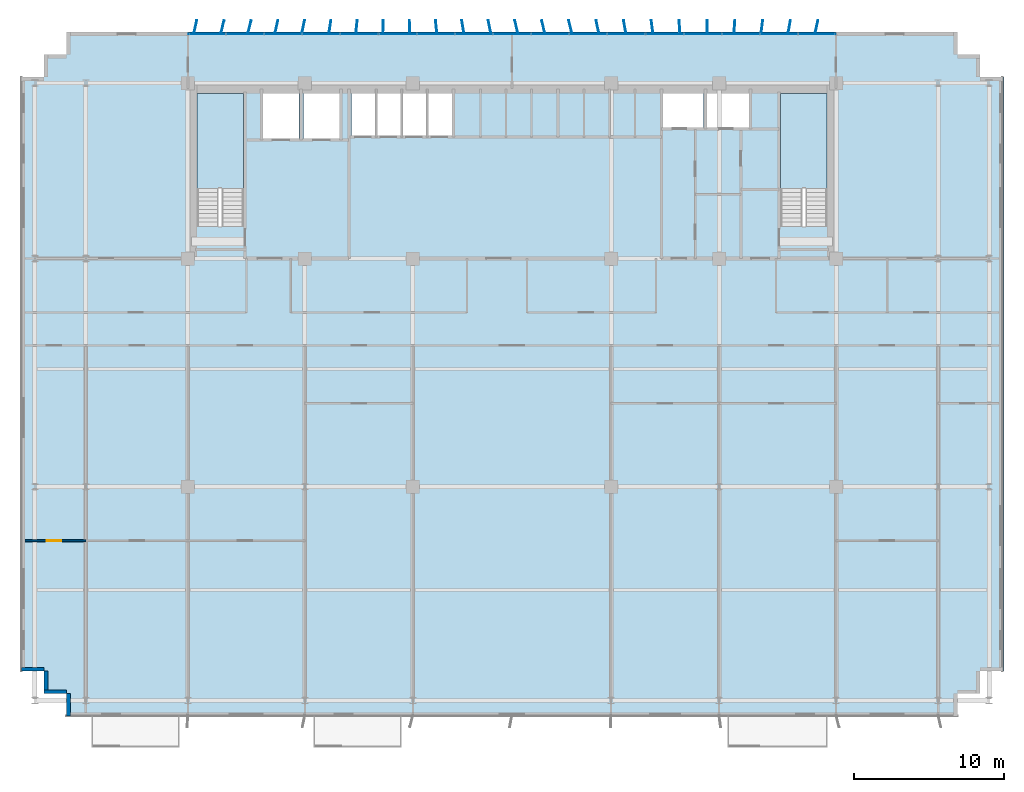
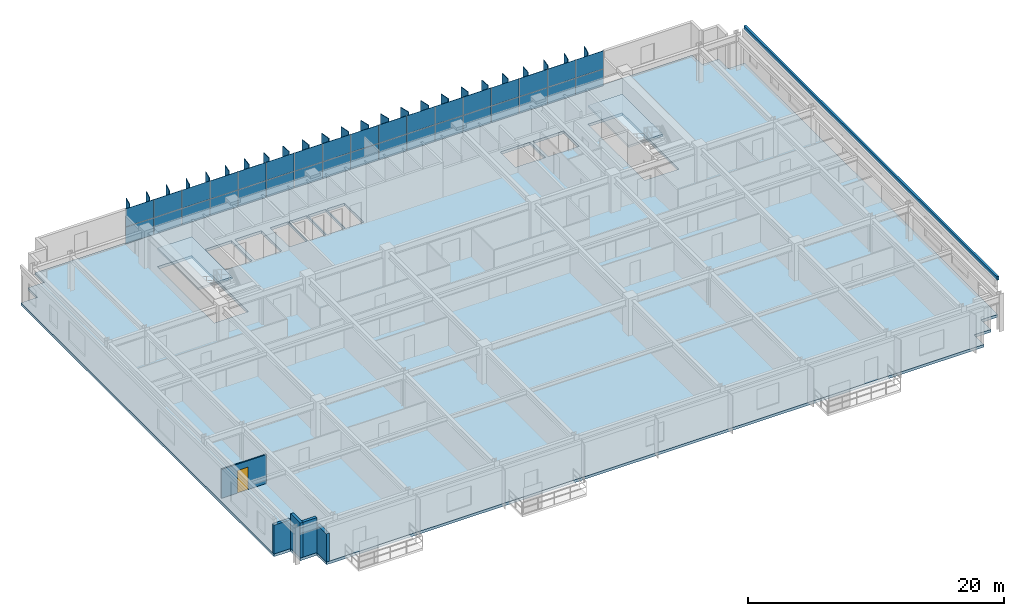
# One storey, part 14 of 21: 59 plates, 5 walls, 3 slabs, 1 door, 1 opening, 3 elements without a shape of their own.
"""IFC4 building model written with IfcOpenShell, lengths in metres."""

from ifc_helpers import new_model, si_unit, direction, frame, frame_2d, origin, origin_2d, place, context, subcontext, project, spatial, polyline, rectangle, outline, extrude, source, transform, mapped, material, layer, layer_set, type_object, element, fill, aggregate, save


model = new_model("IFC4")

# Units and contexts
model_context = context("Model", 3, precision=1e-05, world=origin(), true_north=direction((0.0, 1.0)))
body_context = subcontext(model_context, "Body", "Model", "MODEL_VIEW")
ifc_project = project(units=[si_unit("LENGTHUNIT", "METRE"), si_unit("AREAUNIT", "SQUARE_METRE"), si_unit("VOLUMEUNIT", "CUBIC_METRE"), si_unit("PLANEANGLEUNIT", "RADIAN"), si_unit("MASSUNIT", "GRAM", prefix="KILO")], contexts=[model_context])

# Site, building, storey
site_placement = place(None, origin())
site = spatial("IfcSite", under=ifc_project, at=site_placement, CompositionType="ELEMENT")
building_placement = place(site_placement, origin())
building = spatial("IfcBuilding", under=site, at=building_placement, Name="Trelvane Seafront Commons", CompositionType="ELEMENT")
storey_placement = place(building_placement, frame((0.0, 0.0, 41.5)))
storey = spatial("IfcBuildingStorey", under=building, at=storey_placement, Name="L10", CompositionType="ELEMENT", Elevation=41.5)

# Stair, slab
ifc_material_1 = material(Name="Concrete C40/50", Category="concrete")
stair_type_1 = type_object("IfcStairType", Name="ARCH-STR-ST-1-R20-180", PredefinedType="HALF_TURN_STAIR", material=ifc_material_1)
stair_1_placement = place(storey_placement, origin())
stair_1 = element("IfcStair", 1, at=stair_1_placement, inside=storey, type_object=stair_type_1, Name="L10 West Protected Firefighting Exit Stair ST-1", PredefinedType="HALF_TURN_STAIR")
ifc_layer_1 = layer(ifc_material_1, 0.199951171875, Name="ARCH-LND-200")
ifc_layer_set_1 = layer_set([ifc_layer_1], Name="Concrete C40/50")
slab_type_1 = type_object("IfcSlabType", Name="ARCH-LND-200", PredefinedType="LANDING", material=ifc_layer_set_1)
slab_1_placement = place(storey_placement, frame((0.0, 0.0, 1.60009765625)))
slab_1 = element("IfcSlab", 2, at=slab_1_placement, type_object=slab_type_1, Name="ST-1 landing 1", PredefinedType="LANDING", context=body_context, shape_type="SweptSolid", body=[
    extrude(outline(polyline([(19.300048828125, 38.070068359375), (19.300048828125, 44.39990234375), (16.199951171875, 44.39990234375), (16.199951171875, 38.070068359375), (19.300048828125, 38.070068359375)])), origin(), (0.0, 0.0, 1.0), 0.199951171875),
])
aggregate(stair_1, [slab_1])

stair_type_2 = type_object("IfcStairType", Name="ARCH-STR-ST-2-R20-180", PredefinedType="HALF_TURN_STAIR", material=ifc_material_1)
stair_2_placement = place(storey_placement, origin())
stair_2 = element("IfcStair", 3, at=stair_2_placement, inside=storey, type_object=stair_type_2, Name="L10 East Protected Firefighting Exit Stair ST-2", PredefinedType="HALF_TURN_STAIR")
slab_2_placement = place(storey_placement, frame((0.0, 0.0, 1.60009765625)))
slab_2 = element("IfcSlab", 4, at=slab_2_placement, type_object=slab_type_1, Name="ST-2 landing 1", PredefinedType="LANDING", context=body_context, shape_type="SweptSolid", body=[
    extrude(outline(polyline([(58.199951171875, 38.070068359375), (58.199951171875, 44.39990234375), (55.10009765625, 44.39990234375), (55.10009765625, 38.070068359375), (58.199951171875, 38.070068359375)])), origin(), (0.0, 0.0, 1.0), 0.199951171875),
])
aggregate(stair_2, [slab_2])

# Slab
ifc_material_2 = material(Name="Concrete C50/60", Category="concrete")
ifc_layer_2 = layer(ifc_material_2, 0.260009765625, Name="STR-SLB-Z1-260")
ifc_layer_set_2 = layer_set([ifc_layer_2], Name="Concrete C50/60")
slab_type_2 = type_object("IfcSlabType", Name="STR-SLB-Z1-260", PredefinedType="FLOOR", material=ifc_layer_set_2)
slab_3_placement = place(storey_placement, frame((0.0, 0.0, -0.260009765625)))
element("IfcSlab", 5, at=slab_3_placement, inside=storey, type_object=slab_type_2, Name="L10 Structural Floor Slab", PredefinedType="FLOOR", context=body_context, shape_type="SweptSolid", body=[
    extrude(outline(polyline([(7.5, 2.89990234375), (66.89990234375, 2.89990234375), (66.89990234375, 4.39990234375), (68.39990234375, 4.39990234375), (68.39990234375, 5.89990234375), (69.89990234375, 5.89990234375), (69.89990234375, 45.5), (68.39990234375, 45.5), (68.39990234375, 47.0), (66.89990234375, 47.0), (66.89990234375, 48.5), (7.5, 48.5), (7.5, 47.0), (6.0, 47.0), (6.0, 45.5), (4.5, 45.5), (4.5, 5.89990234375), (6.0, 5.89990234375), (6.0, 4.39990234375), (7.5, 4.39990234375), (7.5, 2.89990234375)]), holes=[polyline([(19.300048828125, 35.550048828125), (16.199951171875, 35.550048828125), (16.199951171875, 44.39990234375), (19.300048828125, 44.39990234375), (19.300048828125, 35.550048828125)]), polyline([(58.199951171875, 35.550048828125), (55.10009765625, 35.550048828125), (55.10009765625, 44.39990234375), (58.199951171875, 44.39990234375), (58.199951171875, 35.550048828125)]), polyline([(23.0, 41.39990234375), (20.60009765625, 41.39990234375), (20.60009765625, 44.60009765625), (23.0, 44.60009765625), (23.0, 41.39990234375)]), polyline([(23.300048828125, 41.39990234375), (23.300048828125, 44.60009765625), (25.699951171875, 44.60009765625), (25.699951171875, 41.39990234375), (23.300048828125, 41.39990234375)]), polyline([(26.5, 41.60009765625), (26.5, 44.60009765625), (28.1201171875, 44.60009765625), (28.1201171875, 41.60009765625), (26.5, 41.60009765625)]), polyline([(29.820068359375, 41.60009765625), (28.199951171875, 41.60009765625), (28.199951171875, 44.60009765625), (29.820068359375, 44.60009765625), (29.820068359375, 41.60009765625)]), polyline([(31.52001953125, 41.60009765625), (29.89990234375, 41.60009765625), (29.89990234375, 44.60009765625), (31.52001953125, 44.60009765625), (31.52001953125, 41.60009765625)]), polyline([(33.219970703125, 41.60009765625), (31.60009765625, 41.60009765625), (31.60009765625, 44.60009765625), (33.219970703125, 44.60009765625), (33.219970703125, 41.60009765625)]), polyline([(47.25, 42.14990234375), (47.25, 44.550048828125), (49.949951171875, 44.550048828125), (49.949951171875, 42.14990234375), (47.25, 42.14990234375)]), polyline([(50.199951171875, 42.14990234375), (50.199951171875, 44.550048828125), (53.0, 44.550048828125), (53.0, 42.14990234375), (50.199951171875, 42.14990234375)])]), origin(), (0.0, 0.0, 1.0), 0.260009765625),
])

# Curtain wall, plates
ifc_material_3 = material(Name="Anodised pale-silver aluminium", Category="aluminium")
curtain_wall_type = type_object("IfcCurtainWallType", Name="ARCH-CW2-LOWTOWER", PredefinedType="NOTDEFINED", material=ifc_material_3)
curtain_wall_placement = place(storey_placement, origin())
curtain_wall = element("IfcCurtainWall", 6, at=curtain_wall_placement, inside=storey, type_object=curtain_wall_type, Name="CW-L10-0034", PredefinedType="NOTDEFINED")
ifc_material_4 = material(Name="Low-E coastal double glazing", Category="glass")
ifc_layer_3 = layer(ifc_material_4, 0.033935546875, Name="ARCH-CW-GLAZ-34")
ifc_layer_set_3 = layer_set([ifc_layer_3], Name="Low-E coastal double glazing")
plate_type_1 = type_object("IfcPlateType", Name="ARCH-CW-GLAZ-34", PredefinedType="CURTAIN_PANEL", material=ifc_layer_set_3)
shared_shape_1 = source(origin(), body_context, "Body", "SweptSolid", [
    extrude(rectangle(XDim=2.51708984375, YDim=0.031982421875, at=origin_2d()), origin(), (0.0, 0.0, 1.0), 1.5849609375),
])
plate_1_placement = place(storey_placement, frame((16.87060546875, 48.3701171875, 0.0), z_axis=(0.0, 0.0, 1.0), x_axis=(1.0, 0.0, 0.0)))
plate_1 = element("IfcPlate", 7, at=plate_1_placement, type_object=plate_type_1, Name="CW-L10-0034-P00-1", PredefinedType="CURTAIN_PANEL", context=body_context, shape_type="MappedRepresentation", body=[
    mapped(shared_shape_1, transform((0.0, 0.0, 0.0), x_axis=(1.0, 0.0, 0.0), y_axis=(0.0, 1.0, 0.0), z_axis=(0.0, 0.0, 1.0), scale=1.0)),
])
plate_2_placement = place(storey_placement, frame((19.411865234375, 48.3701171875, 0.0), z_axis=(0.0, 0.0, 1.0), x_axis=(1.0, 0.0, 0.0)))
plate_2 = element("IfcPlate", 8, at=plate_2_placement, type_object=plate_type_1, Name="CW-L10-0034-P01-1", PredefinedType="CURTAIN_PANEL", context=body_context, shape_type="MappedRepresentation", body=[
    mapped(shared_shape_1, transform((0.0, 0.0, 0.0), x_axis=(1.0, 0.0, 0.0), y_axis=(0.0, 1.0, 0.0), z_axis=(0.0, 0.0, 1.0), scale=1.0)),
])
plate_3_placement = place(storey_placement, frame((21.952880859375, 48.3701171875, 0.0), z_axis=(0.0, 0.0, 1.0), x_axis=(1.0, 0.0, 0.0)))
plate_3 = element("IfcPlate", 9, at=plate_3_placement, type_object=plate_type_1, Name="CW-L10-0034-P02-1", PredefinedType="CURTAIN_PANEL", context=body_context, shape_type="MappedRepresentation", body=[
    mapped(shared_shape_1, transform((0.0, 0.0, 0.0), x_axis=(1.0, 0.0, 0.0), y_axis=(0.0, 1.0, 0.0), z_axis=(0.0, 0.0, 1.0), scale=1.0)),
])
plate_4_placement = place(storey_placement, frame((24.494140625, 48.3701171875, 0.0), z_axis=(0.0, 0.0, 1.0), x_axis=(1.0, 0.0, 0.0)))
plate_4 = element("IfcPlate", 10, at=plate_4_placement, type_object=plate_type_1, Name="CW-L10-0034-P03-1", PredefinedType="CURTAIN_PANEL", context=body_context, shape_type="MappedRepresentation", body=[
    mapped(shared_shape_1, transform((0.0, 0.0, 0.0), x_axis=(1.0, 0.0, 0.0), y_axis=(0.0, 1.0, 0.0), z_axis=(0.0, 0.0, 1.0), scale=1.0)),
])
plate_5_placement = place(storey_placement, frame((27.035400390625, 48.3701171875, 0.0), z_axis=(0.0, 0.0, 1.0), x_axis=(1.0, 0.0, 0.0)))
plate_5 = element("IfcPlate", 11, at=plate_5_placement, type_object=plate_type_1, Name="CW-L10-0034-P04-1", PredefinedType="CURTAIN_PANEL", context=body_context, shape_type="MappedRepresentation", body=[
    mapped(shared_shape_1, transform((0.0, 0.0, 0.0), x_axis=(1.0, 0.0, 0.0), y_axis=(0.0, 1.0, 0.0), z_axis=(0.0, 0.0, 1.0), scale=1.0)),
])
plate_6_placement = place(storey_placement, frame((29.576416015625, 48.3701171875, 0.0), z_axis=(0.0, 0.0, 1.0), x_axis=(1.0, 0.0, 0.0)))
plate_6 = element("IfcPlate", 12, at=plate_6_placement, type_object=plate_type_1, Name="CW-L10-0034-P05-1", PredefinedType="CURTAIN_PANEL", context=body_context, shape_type="MappedRepresentation", body=[
    mapped(shared_shape_1, transform((0.0, 0.0, 0.0), x_axis=(1.0, 0.0, 0.0), y_axis=(0.0, 1.0, 0.0), z_axis=(0.0, 0.0, 1.0), scale=1.0)),
])
plate_7_placement = place(storey_placement, frame((32.11767578125, 48.3701171875, 0.0), z_axis=(0.0, 0.0, 1.0), x_axis=(1.0, 0.0, 0.0)))
plate_7 = element("IfcPlate", 13, at=plate_7_placement, type_object=plate_type_1, Name="CW-L10-0034-P06-1", PredefinedType="CURTAIN_PANEL", context=body_context, shape_type="MappedRepresentation", body=[
    mapped(shared_shape_1, transform((0.0, 0.0, 0.0), x_axis=(1.0, 0.0, 0.0), y_axis=(0.0, 1.0, 0.0), z_axis=(0.0, 0.0, 1.0), scale=1.0)),
])
plate_8_placement = place(storey_placement, frame((34.65869140625, 48.3701171875, 0.0), z_axis=(0.0, 0.0, 1.0), x_axis=(1.0, 0.0, 0.0)))
plate_8 = element("IfcPlate", 14, at=plate_8_placement, type_object=plate_type_1, Name="CW-L10-0034-P07-1", PredefinedType="CURTAIN_PANEL", context=body_context, shape_type="MappedRepresentation", body=[
    mapped(shared_shape_1, transform((0.0, 0.0, 0.0), x_axis=(1.0, 0.0, 0.0), y_axis=(0.0, 1.0, 0.0), z_axis=(0.0, 0.0, 1.0), scale=1.0)),
])
plate_9_placement = place(storey_placement, frame((37.199951171875, 48.3701171875, 0.0), z_axis=(0.0, 0.0, 1.0), x_axis=(1.0, 0.0, 0.0)))
plate_9 = element("IfcPlate", 15, at=plate_9_placement, type_object=plate_type_1, Name="CW-L10-0034-P08-1", PredefinedType="CURTAIN_PANEL", context=body_context, shape_type="MappedRepresentation", body=[
    mapped(shared_shape_1, transform((0.0, 0.0, 0.0), x_axis=(1.0, 0.0, 0.0), y_axis=(0.0, 1.0, 0.0), z_axis=(0.0, 0.0, 1.0), scale=1.0)),
])
plate_10_placement = place(storey_placement, frame((39.7412109375, 48.3701171875, 0.0), z_axis=(0.0, 0.0, 1.0), x_axis=(1.0, 0.0, 0.0)))
plate_10 = element("IfcPlate", 16, at=plate_10_placement, type_object=plate_type_1, Name="CW-L10-0034-P09-1", PredefinedType="CURTAIN_PANEL", context=body_context, shape_type="MappedRepresentation", body=[
    mapped(shared_shape_1, transform((0.0, 0.0, 0.0), x_axis=(1.0, 0.0, 0.0), y_axis=(0.0, 1.0, 0.0), z_axis=(0.0, 0.0, 1.0), scale=1.0)),
])
plate_11_placement = place(storey_placement, frame((42.282470703125, 48.3701171875, 0.0), z_axis=(0.0, 0.0, 1.0), x_axis=(1.0, 0.0, 0.0)))
plate_11 = element("IfcPlate", 17, at=plate_11_placement, type_object=plate_type_1, Name="CW-L10-0034-P10-1", PredefinedType="CURTAIN_PANEL", context=body_context, shape_type="MappedRepresentation", body=[
    mapped(shared_shape_1, transform((0.0, 0.0, 0.0), x_axis=(1.0, 0.0, 0.0), y_axis=(0.0, 1.0, 0.0), z_axis=(0.0, 0.0, 1.0), scale=1.0)),
])
plate_12_placement = place(storey_placement, frame((44.823486328125, 48.3701171875, 0.0), z_axis=(0.0, 0.0, 1.0), x_axis=(1.0, 0.0, 0.0)))
plate_12 = element("IfcPlate", 18, at=plate_12_placement, type_object=plate_type_1, Name="CW-L10-0034-P11-1", PredefinedType="CURTAIN_PANEL", context=body_context, shape_type="MappedRepresentation", body=[
    mapped(shared_shape_1, transform((0.0, 0.0, 0.0), x_axis=(1.0, 0.0, 0.0), y_axis=(0.0, 1.0, 0.0), z_axis=(0.0, 0.0, 1.0), scale=1.0)),
])
plate_13_placement = place(storey_placement, frame((47.36474609375, 48.3701171875, 0.0), z_axis=(0.0, 0.0, 1.0), x_axis=(1.0, 0.0, 0.0)))
plate_13 = element("IfcPlate", 19, at=plate_13_placement, type_object=plate_type_1, Name="CW-L10-0034-P12-1", PredefinedType="CURTAIN_PANEL", context=body_context, shape_type="MappedRepresentation", body=[
    mapped(shared_shape_1, transform((0.0, 0.0, 0.0), x_axis=(1.0, 0.0, 0.0), y_axis=(0.0, 1.0, 0.0), z_axis=(0.0, 0.0, 1.0), scale=1.0)),
])
plate_14_placement = place(storey_placement, frame((49.906005859375, 48.3701171875, 0.0), z_axis=(0.0, 0.0, 1.0), x_axis=(1.0, 0.0, 0.0)))
plate_14 = element("IfcPlate", 20, at=plate_14_placement, type_object=plate_type_1, Name="CW-L10-0034-P13-1", PredefinedType="CURTAIN_PANEL", context=body_context, shape_type="MappedRepresentation", body=[
    mapped(shared_shape_1, transform((0.0, 0.0, 0.0), x_axis=(1.0, 0.0, 0.0), y_axis=(0.0, 1.0, 0.0), z_axis=(0.0, 0.0, 1.0), scale=1.0)),
])
plate_15_placement = place(storey_placement, frame((52.447021484375, 48.3701171875, 0.0), z_axis=(0.0, 0.0, 1.0), x_axis=(1.0, 0.0, 0.0)))
plate_15 = element("IfcPlate", 21, at=plate_15_placement, type_object=plate_type_1, Name="CW-L10-0034-P14-1", PredefinedType="CURTAIN_PANEL", context=body_context, shape_type="MappedRepresentation", body=[
    mapped(shared_shape_1, transform((0.0, 0.0, 0.0), x_axis=(1.0, 0.0, 0.0), y_axis=(0.0, 1.0, 0.0), z_axis=(0.0, 0.0, 1.0), scale=1.0)),
])
plate_16_placement = place(storey_placement, frame((54.98828125, 48.3701171875, 0.0), z_axis=(0.0, 0.0, 1.0), x_axis=(1.0, 0.0, 0.0)))
plate_16 = element("IfcPlate", 22, at=plate_16_placement, type_object=plate_type_1, Name="CW-L10-0034-P15-1", PredefinedType="CURTAIN_PANEL", context=body_context, shape_type="MappedRepresentation", body=[
    mapped(shared_shape_1, transform((0.0, 0.0, 0.0), x_axis=(1.0, 0.0, 0.0), y_axis=(0.0, 1.0, 0.0), z_axis=(0.0, 0.0, 1.0), scale=1.0)),
])
plate_17_placement = place(storey_placement, frame((57.529296875, 48.3701171875, 0.0), z_axis=(0.0, 0.0, 1.0), x_axis=(1.0, 0.0, 0.0)))
plate_17 = element("IfcPlate", 23, at=plate_17_placement, type_object=plate_type_1, Name="CW-L10-0034-P16-1", PredefinedType="CURTAIN_PANEL", context=body_context, shape_type="MappedRepresentation", body=[
    mapped(shared_shape_1, transform((0.0, 0.0, 0.0), x_axis=(1.0, 0.0, 0.0), y_axis=(0.0, 1.0, 0.0), z_axis=(0.0, 0.0, 1.0), scale=1.0)),
])
shared_shape_2 = source(origin(), body_context, "Body", "SweptSolid", [
    extrude(rectangle(XDim=2.51708984375, YDim=0.031982421875, at=origin_2d()), origin(), (0.0, 0.0, 1.0), 1.718994140625),
])
plate_18_placement = place(storey_placement, frame((16.87060546875, 48.3701171875, 1.62109375), z_axis=(0.0, 0.0, 1.0), x_axis=(1.0, 0.0, 0.0)))
plate_18 = element("IfcPlate", 24, at=plate_18_placement, type_object=plate_type_1, Name="CW-L10-0034-P00-2", PredefinedType="CURTAIN_PANEL", context=body_context, shape_type="MappedRepresentation", body=[
    mapped(shared_shape_2, transform((0.0, 0.0, 0.0), x_axis=(1.0, 0.0, 0.0), y_axis=(0.0, 1.0, 0.0), z_axis=(0.0, 0.0, 1.0), scale=1.0)),
])
plate_19_placement = place(storey_placement, frame((19.411865234375, 48.3701171875, 1.62109375), z_axis=(0.0, 0.0, 1.0), x_axis=(1.0, 0.0, 0.0)))
plate_19 = element("IfcPlate", 25, at=plate_19_placement, type_object=plate_type_1, Name="CW-L10-0034-P01-2", PredefinedType="CURTAIN_PANEL", context=body_context, shape_type="MappedRepresentation", body=[
    mapped(shared_shape_2, transform((0.0, 0.0, 0.0), x_axis=(1.0, 0.0, 0.0), y_axis=(0.0, 1.0, 0.0), z_axis=(0.0, 0.0, 1.0), scale=1.0)),
])
plate_20_placement = place(storey_placement, frame((21.952880859375, 48.3701171875, 1.62109375), z_axis=(0.0, 0.0, 1.0), x_axis=(1.0, 0.0, 0.0)))
plate_20 = element("IfcPlate", 26, at=plate_20_placement, type_object=plate_type_1, Name="CW-L10-0034-P02-2", PredefinedType="CURTAIN_PANEL", context=body_context, shape_type="MappedRepresentation", body=[
    mapped(shared_shape_2, transform((0.0, 0.0, 0.0), x_axis=(1.0, 0.0, 0.0), y_axis=(0.0, 1.0, 0.0), z_axis=(0.0, 0.0, 1.0), scale=1.0)),
])
plate_21_placement = place(storey_placement, frame((24.494140625, 48.3701171875, 1.62109375), z_axis=(0.0, 0.0, 1.0), x_axis=(1.0, 0.0, 0.0)))
plate_21 = element("IfcPlate", 27, at=plate_21_placement, type_object=plate_type_1, Name="CW-L10-0034-P03-2", PredefinedType="CURTAIN_PANEL", context=body_context, shape_type="MappedRepresentation", body=[
    mapped(shared_shape_2, transform((0.0, 0.0, 0.0), x_axis=(1.0, 0.0, 0.0), y_axis=(0.0, 1.0, 0.0), z_axis=(0.0, 0.0, 1.0), scale=1.0)),
])
plate_22_placement = place(storey_placement, frame((27.035400390625, 48.3701171875, 1.62109375), z_axis=(0.0, 0.0, 1.0), x_axis=(1.0, 0.0, 0.0)))
plate_22 = element("IfcPlate", 28, at=plate_22_placement, type_object=plate_type_1, Name="CW-L10-0034-P04-2", PredefinedType="CURTAIN_PANEL", context=body_context, shape_type="MappedRepresentation", body=[
    mapped(shared_shape_2, transform((0.0, 0.0, 0.0), x_axis=(1.0, 0.0, 0.0), y_axis=(0.0, 1.0, 0.0), z_axis=(0.0, 0.0, 1.0), scale=1.0)),
])
plate_23_placement = place(storey_placement, frame((29.576416015625, 48.3701171875, 1.62109375), z_axis=(0.0, 0.0, 1.0), x_axis=(1.0, 0.0, 0.0)))
plate_23 = element("IfcPlate", 29, at=plate_23_placement, type_object=plate_type_1, Name="CW-L10-0034-P05-2", PredefinedType="CURTAIN_PANEL", context=body_context, shape_type="MappedRepresentation", body=[
    mapped(shared_shape_2, transform((0.0, 0.0, 0.0), x_axis=(1.0, 0.0, 0.0), y_axis=(0.0, 1.0, 0.0), z_axis=(0.0, 0.0, 1.0), scale=1.0)),
])
plate_24_placement = place(storey_placement, frame((32.11767578125, 48.3701171875, 1.62109375), z_axis=(0.0, 0.0, 1.0), x_axis=(1.0, 0.0, 0.0)))
plate_24 = element("IfcPlate", 30, at=plate_24_placement, type_object=plate_type_1, Name="CW-L10-0034-P06-2", PredefinedType="CURTAIN_PANEL", context=body_context, shape_type="MappedRepresentation", body=[
    mapped(shared_shape_2, transform((0.0, 0.0, 0.0), x_axis=(1.0, 0.0, 0.0), y_axis=(0.0, 1.0, 0.0), z_axis=(0.0, 0.0, 1.0), scale=1.0)),
])
plate_25_placement = place(storey_placement, frame((34.65869140625, 48.3701171875, 1.62109375), z_axis=(0.0, 0.0, 1.0), x_axis=(1.0, 0.0, 0.0)))
plate_25 = element("IfcPlate", 31, at=plate_25_placement, type_object=plate_type_1, Name="CW-L10-0034-P07-2", PredefinedType="CURTAIN_PANEL", context=body_context, shape_type="MappedRepresentation", body=[
    mapped(shared_shape_2, transform((0.0, 0.0, 0.0), x_axis=(1.0, 0.0, 0.0), y_axis=(0.0, 1.0, 0.0), z_axis=(0.0, 0.0, 1.0), scale=1.0)),
])
plate_26_placement = place(storey_placement, frame((37.199951171875, 48.3701171875, 1.62109375), z_axis=(0.0, 0.0, 1.0), x_axis=(1.0, 0.0, 0.0)))
plate_26 = element("IfcPlate", 32, at=plate_26_placement, type_object=plate_type_1, Name="CW-L10-0034-P08-2", PredefinedType="CURTAIN_PANEL", context=body_context, shape_type="MappedRepresentation", body=[
    mapped(shared_shape_2, transform((0.0, 0.0, 0.0), x_axis=(1.0, 0.0, 0.0), y_axis=(0.0, 1.0, 0.0), z_axis=(0.0, 0.0, 1.0), scale=1.0)),
])
plate_27_placement = place(storey_placement, frame((39.7412109375, 48.3701171875, 1.62109375), z_axis=(0.0, 0.0, 1.0), x_axis=(1.0, 0.0, 0.0)))
plate_27 = element("IfcPlate", 33, at=plate_27_placement, type_object=plate_type_1, Name="CW-L10-0034-P09-2", PredefinedType="CURTAIN_PANEL", context=body_context, shape_type="MappedRepresentation", body=[
    mapped(shared_shape_2, transform((0.0, 0.0, 0.0), x_axis=(1.0, 0.0, 0.0), y_axis=(0.0, 1.0, 0.0), z_axis=(0.0, 0.0, 1.0), scale=1.0)),
])
plate_28_placement = place(storey_placement, frame((42.282470703125, 48.3701171875, 1.62109375), z_axis=(0.0, 0.0, 1.0), x_axis=(1.0, 0.0, 0.0)))
plate_28 = element("IfcPlate", 34, at=plate_28_placement, type_object=plate_type_1, Name="CW-L10-0034-P10-2", PredefinedType="CURTAIN_PANEL", context=body_context, shape_type="MappedRepresentation", body=[
    mapped(shared_shape_2, transform((0.0, 0.0, 0.0), x_axis=(1.0, 0.0, 0.0), y_axis=(0.0, 1.0, 0.0), z_axis=(0.0, 0.0, 1.0), scale=1.0)),
])
plate_29_placement = place(storey_placement, frame((44.823486328125, 48.3701171875, 1.62109375), z_axis=(0.0, 0.0, 1.0), x_axis=(1.0, 0.0, 0.0)))
plate_29 = element("IfcPlate", 35, at=plate_29_placement, type_object=plate_type_1, Name="CW-L10-0034-P11-2", PredefinedType="CURTAIN_PANEL", context=body_context, shape_type="MappedRepresentation", body=[
    mapped(shared_shape_2, transform((0.0, 0.0, 0.0), x_axis=(1.0, 0.0, 0.0), y_axis=(0.0, 1.0, 0.0), z_axis=(0.0, 0.0, 1.0), scale=1.0)),
])
plate_30_placement = place(storey_placement, frame((47.36474609375, 48.3701171875, 1.62109375), z_axis=(0.0, 0.0, 1.0), x_axis=(1.0, 0.0, 0.0)))
plate_30 = element("IfcPlate", 36, at=plate_30_placement, type_object=plate_type_1, Name="CW-L10-0034-P12-2", PredefinedType="CURTAIN_PANEL", context=body_context, shape_type="MappedRepresentation", body=[
    mapped(shared_shape_2, transform((0.0, 0.0, 0.0), x_axis=(1.0, 0.0, 0.0), y_axis=(0.0, 1.0, 0.0), z_axis=(0.0, 0.0, 1.0), scale=1.0)),
])
plate_31_placement = place(storey_placement, frame((49.906005859375, 48.3701171875, 1.62109375), z_axis=(0.0, 0.0, 1.0), x_axis=(1.0, 0.0, 0.0)))
plate_31 = element("IfcPlate", 37, at=plate_31_placement, type_object=plate_type_1, Name="CW-L10-0034-P13-2", PredefinedType="CURTAIN_PANEL", context=body_context, shape_type="MappedRepresentation", body=[
    mapped(shared_shape_2, transform((0.0, 0.0, 0.0), x_axis=(1.0, 0.0, 0.0), y_axis=(0.0, 1.0, 0.0), z_axis=(0.0, 0.0, 1.0), scale=1.0)),
])
plate_32_placement = place(storey_placement, frame((52.447021484375, 48.3701171875, 1.62109375), z_axis=(0.0, 0.0, 1.0), x_axis=(1.0, 0.0, 0.0)))
plate_32 = element("IfcPlate", 38, at=plate_32_placement, type_object=plate_type_1, Name="CW-L10-0034-P14-2", PredefinedType="CURTAIN_PANEL", context=body_context, shape_type="MappedRepresentation", body=[
    mapped(shared_shape_2, transform((0.0, 0.0, 0.0), x_axis=(1.0, 0.0, 0.0), y_axis=(0.0, 1.0, 0.0), z_axis=(0.0, 0.0, 1.0), scale=1.0)),
])
plate_33_placement = place(storey_placement, frame((54.98828125, 48.3701171875, 1.62109375), z_axis=(0.0, 0.0, 1.0), x_axis=(1.0, 0.0, 0.0)))
plate_33 = element("IfcPlate", 39, at=plate_33_placement, type_object=plate_type_1, Name="CW-L10-0034-P15-2", PredefinedType="CURTAIN_PANEL", context=body_context, shape_type="MappedRepresentation", body=[
    mapped(shared_shape_2, transform((0.0, 0.0, 0.0), x_axis=(1.0, 0.0, 0.0), y_axis=(0.0, 1.0, 0.0), z_axis=(0.0, 0.0, 1.0), scale=1.0)),
])
plate_34_placement = place(storey_placement, frame((57.529296875, 48.3701171875, 1.62109375), z_axis=(0.0, 0.0, 1.0), x_axis=(1.0, 0.0, 0.0)))
plate_34 = element("IfcPlate", 40, at=plate_34_placement, type_object=plate_type_1, Name="CW-L10-0034-P16-2", PredefinedType="CURTAIN_PANEL", context=body_context, shape_type="MappedRepresentation", body=[
    mapped(shared_shape_2, transform((0.0, 0.0, 0.0), x_axis=(1.0, 0.0, 0.0), y_axis=(0.0, 1.0, 0.0), z_axis=(0.0, 0.0, 1.0), scale=1.0)),
])
aggregate(curtain_wall, [plate_1, plate_18, plate_2, plate_19, plate_3, plate_20, plate_4, plate_21, plate_5, plate_22, plate_6, plate_23, plate_7, plate_24, plate_8, plate_25, plate_9, plate_26, plate_10, plate_27, plate_11, plate_28, plate_12, plate_29, plate_13, plate_30, plate_14, plate_31, plate_15, plate_32, plate_16, plate_33, plate_17, plate_34])

# Plates
ifc_layer_4 = layer(ifc_material_3, 0.06005859375, Name="ARCH-PLATE-FIN900")
ifc_layer_set_4 = layer_set([ifc_layer_4], Name="Anodised pale-silver aluminium")
plate_type_2 = type_object("IfcPlateType", Name="ARCH-PLATE-FIN900", PredefinedType="USERDEFINED", material=ifc_layer_set_4)
shared_shape_3 = source(origin(), body_context, "Body", "SweptSolid", [
    extrude(rectangle(XDim=0.89990234375, YDim=0.06005859375, at=origin_2d()), origin(), (0.0, 0.0, 1.0), 3.639892578125),
])
for number, where, z_axis, x_axis, name in (
    (41, (16.09716796875, 48.83935546875, -0.02001953125), (0.0, 0.0, 1.0), (0.21601189973, 0.976390730791, 0.0), "FIN-L10-00164"),
    (42, (17.90673828125, 48.837158203125, -0.02001953125), (0.0, 0.0, 1.0), (0.237329860906, 0.971429120998, 0.0), "FIN-L10-00165"),
    (43, (19.70849609375, 48.836669921875, -0.02001953125), (0.0, 0.0, 1.0), (0.241227504659, 0.970468593514, 0.0), "FIN-L10-00166"),
    (44, (21.50244140625, 48.838134765625, -0.02001953125), (0.0, 0.0, 1.0), (0.227657532252, 0.97374126338, 0.0), "FIN-L10-00167"),
    (45, (23.288818359375, 48.841064453125, -0.02001953125), (0.0, 0.0, 1.0), (0.197333970296, 0.980336321967, 0.0), "FIN-L10-00168"),
    (46, (25.068603515625, 48.8447265625, -0.02001953125), (0.0, 0.0, 1.0), (0.152223436353, 0.988346106091, 0.0), "FIN-L10-00169"),
    (47, (26.843017578125, 48.847900390625, -0.02001953125), (0.0, 0.0, 1.0), (0.095553882995, 0.99542425902, 0.0), "FIN-L10-00170"),
    (48, (28.6142578125, 48.849853515625, -0.02001953125), (0.0, 0.0, 1.0), (0.031553805135, 0.999502054716, 0.0), "FIN-L10-00171"),
    (49, (30.38427734375, 48.849609375, -0.02001953125), (0.0, 0.0, 1.0), (-0.035002408214, 0.999387227965, 0.0), "FIN-L10-00172"),
    (50, (32.155517578125, 48.847900390625, -0.02001953125), (0.0, 0.0, 1.0), (-0.098777884772, 0.995109506276, 0.0), "FIN-L10-00173"),
    (51, (33.930419921875, 48.844482421875, -0.02001953125), (0.0, 0.0, 1.0), (-0.155003513078, 0.987913918787, 0.0), "FIN-L10-00174"),
    (52, (35.710205078125, 48.8408203125, -0.02001953125), (0.0, 0.0, 1.0), (-0.19934227998, 0.979929923725, 0.0), "FIN-L10-00175"),
    (53, (37.4970703125, 48.837890625, -0.02001953125), (0.0, 0.0, 1.0), (-0.228785846532, 0.973476777549, 0.0), "FIN-L10-00176"),
    (54, (39.291259765625, 48.836669921875, -0.02001953125), (0.0, 0.0, 1.0), (-0.241437528624, 0.97041636413, 0.0), "FIN-L10-00177"),
    (55, (41.093505859375, 48.837158203125, -0.02001953125), (0.0, 0.0, 1.0), (-0.236570220714, 0.971614394022, 0.0), "FIN-L10-00178"),
    (56, (42.903564453125, 48.839599609375, -0.02001953125), (0.0, 0.0, 1.0), (-0.214435304854, 0.976738194212, 0.0), "FIN-L10-00179"),
    (57, (44.720703125, 48.843017578125, -0.02001953125), (0.0, 0.0, 1.0), (-0.176440547918, 0.984311298853, 0.0), "FIN-L10-00180"),
    (58, (46.543701171875, 48.846435546875, -0.02001953125), (0.0, 0.0, 1.0), (-0.125115053117, 0.992142239542, 0.0), "FIN-L10-00181"),
    (59, (48.37109375, 48.84912109375, -0.02001953125), (0.0, 0.0, 1.0), (-0.064225767541, 0.997935394093, 0.0), "FIN-L10-00182"),
    (60, (50.20068359375, 48.85009765625, -0.02001953125), (0.0, 0.0, 1.0), (0.00177848957, 0.999998418486, 0.0), "FIN-L10-00183"),
    (61, (52.030517578125, 48.84912109375, -0.02001953125), (0.0, 0.0, 1.0), (0.06755906623, 0.997715276304, 0.0), "FIN-L10-00184"),
    (62, (53.857666015625, 48.84619140625, -0.02001953125), (0.0, 0.0, 1.0), (0.128108441018, 0.99176016624, 0.0), "FIN-L10-00185"),
    (63, (55.680419921875, 48.8427734375, -0.02001953125), (0.0, 0.0, 1.0), (0.178778174216, 0.983889406602, 0.0), "FIN-L10-00186"),
    (64, (57.497314453125, 48.83935546875, -0.02001953125), (0.0, 0.0, 1.0), (0.21601189973, 0.976390730791, 0.0), "FIN-L10-00187"),
):
    element("IfcPlate", number, at=place(storey_placement, frame(where, z_axis=z_axis, x_axis=x_axis)), inside=storey, type_object=plate_type_2, Name=name, ObjectType="FIN", PredefinedType="USERDEFINED", context=body_context, shape_type="MappedRepresentation", body=[
        mapped(shared_shape_3, transform((0.0, 0.0, 0.0), x_axis=(1.0, 0.0, 0.0), y_axis=(0.0, 1.0, 0.0), z_axis=(0.0, 0.0, 1.0), scale=1.0)),
    ])
ifc_layer_5 = layer(ifc_material_3, 0.179931640625, Name="ARCH-PLATE-AERO")
ifc_layer_set_5 = layer_set([ifc_layer_5], Name="Anodised pale-silver aluminium")
plate_type_3 = type_object("IfcPlateType", Name="ARCH-PLATE-AERO", PredefinedType="SHEET", material=ifc_layer_set_5)
shared_shape_4 = source(origin(), body_context, "Body", "SweptSolid", [
    extrude(rectangle(XDim=39.60009765625, YDim=0.179931640625, at=origin_2d()), origin(), (0.0, 0.0, 1.0), 0.340087890625),
])
plate_35_placement = place(storey_placement, frame((69.89990234375, 25.699951171875, 3.27978515625), z_axis=(0.0, 0.0, 1.0), x_axis=(0.0, -1.0, 0.0)))
element("IfcPlate", 65, at=plate_35_placement, inside=storey, type_object=plate_type_3, Name="AER-L10-00035", PredefinedType="SHEET", context=body_context, shape_type="MappedRepresentation", body=[
    mapped(shared_shape_4, transform((0.0, 0.0, 0.0), x_axis=(1.0, 0.0, 0.0), y_axis=(0.0, 1.0, 0.0), z_axis=(0.0, 0.0, 1.0), scale=1.0)),
])

# Walls
ifc_material_5 = material(Name="Precast concrete C40/50", Category="concrete")
ifc_layer_6 = layer(ifc_material_5, 0.260009765625, Name="ARCH-WALL-EXT260")
ifc_layer_set_6 = layer_set([ifc_layer_6], Name="Precast concrete C40/50")
wall_type_1 = type_object("IfcWallType", Name="ARCH-WALL-EXT260", PredefinedType="SOLIDWALL", material=ifc_layer_set_6)
for number, where, z_axis, x_axis, name in (
    (66, (7.5, 4.530029296875, 0.0), (0.0, 0.0, 1.0), (-1.0, 0.0, 0.0), "EW-L10-00152"),
    (67, (6.1298828125, 4.39990234375, 0.0), (0.0, 0.0, 1.0), (0.0, 1.0, 0.0), "EW-L10-00153"),
):
    element("IfcWall", number, at=place(storey_placement, frame(where, z_axis=z_axis, x_axis=x_axis)), inside=storey, type_object=wall_type_1, Name=name, PredefinedType="SOLIDWALL", context=body_context, shape_type="SweptSolid", body=[
        extrude(rectangle(XDim=1.5, YDim=0.260009765625, at=frame_2d((0.75, 0.0))), origin(), (0.0, 0.0, 1.0), 3.340087890625),
    ])
wall_1_placement = place(storey_placement, frame((6.0, 6.030029296875, 0.0), z_axis=(0.0, 0.0, 1.0), x_axis=(-1.0, 0.0, 0.0)))
element("IfcWall", 68, at=wall_1_placement, inside=storey, type_object=wall_type_1, Name="EW-L10-00154", PredefinedType="SOLIDWALL", context=body_context, shape_type="SweptSolid", body=[
    extrude(rectangle(XDim=1.5, YDim=0.260009765625, at=frame_2d((0.75, 0.0))), origin(), (0.0, 0.0, 1.0), 2.751953125),
])
wall_2_placement = place(storey_placement, frame((7.6298828125, 2.89990234375, 0.0), z_axis=(0.0, 0.0, 1.0), x_axis=(0.0, 1.0, 0.0)))
element("IfcWall", 69, at=wall_2_placement, inside=storey, type_object=wall_type_1, Name="EW-L10-00170", PredefinedType="SOLIDWALL", context=body_context, shape_type="SweptSolid", body=[
    extrude(rectangle(XDim=1.5, YDim=0.260009765625, at=frame_2d((0.75, 0.0))), origin(), (0.0, 0.0, 1.0), 2.68994140625),
])

# Wall, opening, door
ifc_material_6 = material(Name="Gypsum Drywall Acoustic Partition")
ifc_layer_7 = layer(ifc_material_6, 0.1201171875, Name="ARCH-WALL-PART120")
ifc_layer_set_7 = layer_set([ifc_layer_7], Name="Gypsum Drywall Acoustic Partition")
wall_type_2 = type_object("IfcWallType", Name="ARCH-WALL-PART120", PredefinedType="PARTITIONING", material=ifc_layer_set_7)
wall_3_placement = place(storey_placement, frame((4.7451171875, 14.60009765625, 0.0), z_axis=(0.0, 0.0, 1.0), x_axis=(1.0, 0.0, 0.0)))
wall_3 = element("IfcWall", 70, at=wall_3_placement, inside=storey, type_object=wall_type_2, Name="W-L10-U1-DIV-063", PredefinedType="PARTITIONING", context=body_context, shape_type="SweptSolid", body=[
    extrude(rectangle(XDim=4.054931640625, YDim=0.1201171875, at=frame_2d((2.02734375, 0.0))), origin(), (0.0, 0.0, 1.0), 2.751953125),
])
opening_placement = place(wall_3_placement, frame((1.4619140625, 0.0, 0.0)))
opening = element("IfcOpeningElement", 71, at=opening_placement, cuts=wall_3, Name="Opening D-L10-29", PredefinedType="OPENING", context=body_context, shape_type="SweptSolid", body=[
    extrude(rectangle(XDim=0.949951171875, YDim=2.14990234375, at=frame_2d((0.47509765625, 1.074951171875))), frame((0.0, 0.070068359375, 0.0), z_axis=(0.0, -1.0, 0.0), x_axis=(1.0, 0.0, 0.0)), (0.0, 0.0, 1.0), 0.14013671875),
])
ifc_material_7 = material(Name="Acoustic timber door leaf", Category="wood")
door_type = type_object("IfcDoorType", Name="ARCH-DR-INT950", OperationType="NOTDEFINED", PredefinedType="DOOR", material=ifc_material_7)
shared_shape_5 = source(origin(), body_context, "Body", "SweptSolid", [
    extrude(rectangle(XDim=0.949951171875, YDim=2.14990234375, at=frame_2d((0.47509765625, 1.074951171875))), frame((0.0, 0.02490234375, 0.0), z_axis=(0.0, -1.0, 0.0), x_axis=(1.0, 0.0, 0.0)), (0.0, 0.0, 1.0), 0.050048828125),
])
door_placement = place(opening_placement, origin())
door = element("IfcDoor", 72, at=door_placement, inside=storey, type_object=door_type, Name="L10 Door 29", OperationType="SINGLE_SWING_LEFT", OverallHeight=2.14990234375, OverallWidth=0.949951171875, PredefinedType="DOOR", context=body_context, shape_type="MappedRepresentation", body=[
    mapped(shared_shape_5, transform((0.0, 0.0, 0.0), x_axis=(1.0, 0.0, 0.0), y_axis=(0.0, 1.0, 0.0), z_axis=(0.0, 0.0, 1.0), scale=1.0)),
])
fill(opening, door)

save(model, "model.ifc")
